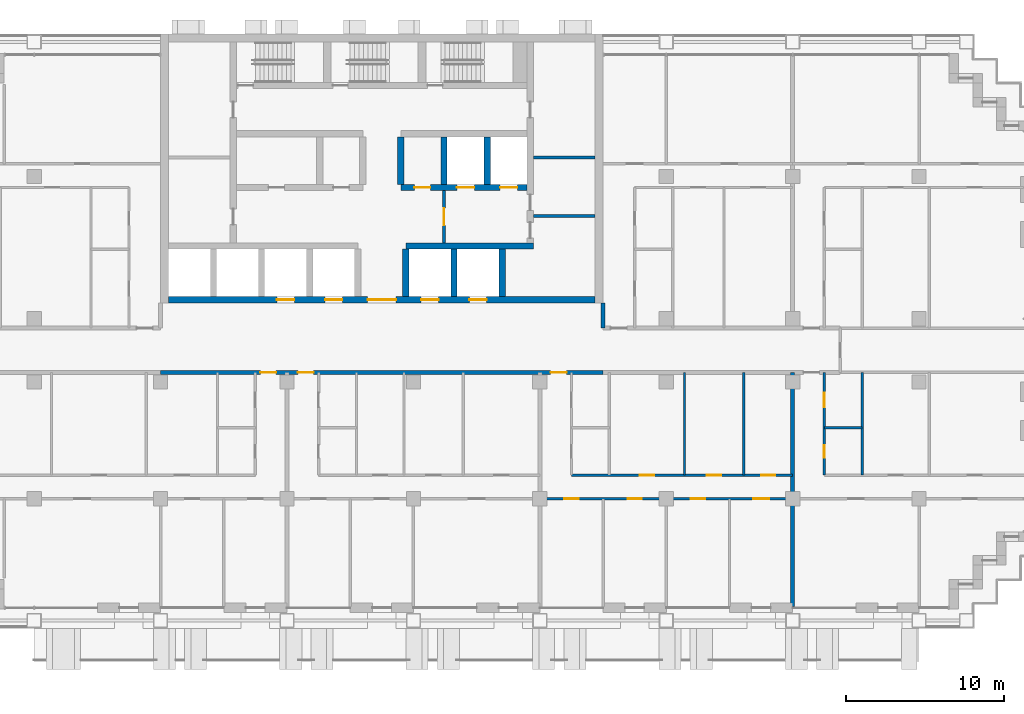
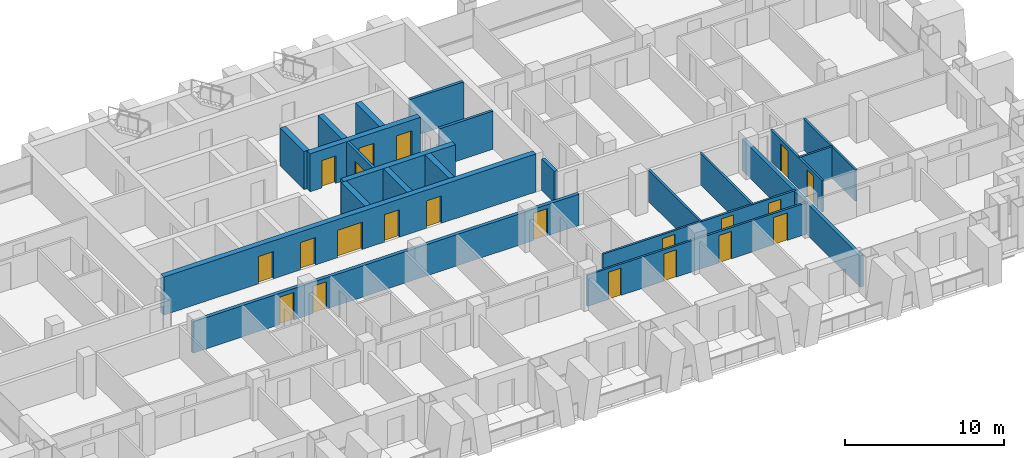
# One storey, part 11 of 18: 22 walls, 21 doors, 21 openings.
"""IFC4 building model written with IfcOpenShell, lengths in metres."""

from ifc_helpers import new_model, si_unit, direction, frame, frame_2d, origin, place, context, subcontext, project, spatial, rectangle, extrude, material, layer, layer_set, type_object, element, fill, save


model = new_model("IFC4")

# Units and contexts
model_context = context("Model", 3, precision=1e-05, world=origin(), true_north=direction((0.0, 1.0)))
body_context = subcontext(model_context, "Body", "Model", "MODEL_VIEW")
ifc_project = project(units=[si_unit("LENGTHUNIT", "METRE"), si_unit("AREAUNIT", "SQUARE_METRE"), si_unit("VOLUMEUNIT", "CUBIC_METRE"), si_unit("PLANEANGLEUNIT", "RADIAN"), si_unit("MASSUNIT", "GRAM", prefix="KILO")], contexts=[model_context])

# Site, building, storey
site_placement = place(None, origin())
site = spatial("IfcSite", under=ifc_project, at=site_placement, CompositionType="ELEMENT")
building_placement = place(site_placement, origin())
building = spatial("IfcBuilding", under=site, at=building_placement, Name="Vidyagriha Tower", CompositionType="ELEMENT")
storey_placement = place(building_placement, frame((0.0, 0.0, 83.89990234375)))
storey = spatial("IfcBuildingStorey", under=building, at=storey_placement, Name="L21", CompositionType="ELEMENT", Elevation=83.89990234375)

# Wall, openings, doors
ifc_material_1 = material(Name="Concrete C60/75", Category="concrete")
ifc_layer_1 = layer(ifc_material_1, 0.39990234375)
ifc_layer_set_1 = layer_set([ifc_layer_1], Name="Concrete C60/75")
wall_type_1 = type_object("IfcWallType", Name="Core shear wall 400 mm", PredefinedType="SHEAR", material=ifc_layer_set_1)
wall_1_placement = place(storey_placement, frame((-13.5, 3.199951171875, 0.0)))
wall_1 = element("IfcWall", 1, at=wall_1_placement, inside=storey, type_object=wall_type_1, Name="Core front wall", PredefinedType="SHEAR", context=body_context, shape_type="SweptSolid", body=[
    extrude(rectangle(XDim=27.0, YDim=0.39990234375, at=frame_2d((13.5, 0.0))), origin(), (0.0, 0.0, 1.0), 2.920166015625),
])
opening_1_placement = place(wall_1_placement, frame((6.861083984375, 0.0, 0.0)))
opening_1 = element("IfcOpeningElement", 2, at=opening_1_placement, cuts=wall_1, Name="Opening LD21-01", PredefinedType="OPENING", context=body_context, shape_type="SweptSolid", body=[
    extrude(rectangle(XDim=1.10009765625, YDim=2.10009765625, at=frame_2d((0.550048828125, 1.050048828125))), frame((0.0, 0.2099609375, 0.0), z_axis=(0.0, -1.0, 0.0), x_axis=(1.0, 0.0, 0.0)), (0.0, 0.0, 1.0), 0.419921875),
])
opening_2_placement = place(wall_1_placement, frame((9.905517578125, 0.0, 0.0)))
opening_2 = element("IfcOpeningElement", 3, at=opening_2_placement, cuts=wall_1, Name="Opening LD21-02", PredefinedType="OPENING", context=body_context, shape_type="SweptSolid", body=[
    extrude(rectangle(XDim=1.10009765625, YDim=2.10009765625, at=frame_2d((0.550048828125, 1.050048828125))), frame((0.0, 0.2099609375, 0.0), z_axis=(0.0, -1.0, 0.0), x_axis=(1.0, 0.0, 0.0)), (0.0, 0.0, 1.0), 0.419921875),
])
opening_3_placement = place(wall_1_placement, frame((15.994384765625, 0.0, 0.0)))
opening_3 = element("IfcOpeningElement", 4, at=opening_3_placement, cuts=wall_1, Name="Opening LD21-03", PredefinedType="OPENING", context=body_context, shape_type="SweptSolid", body=[
    extrude(rectangle(XDim=1.10009765625, YDim=2.10009765625, at=frame_2d((0.550048828125, 1.050048828125))), frame((0.0, 0.2099609375, 0.0), z_axis=(0.0, -1.0, 0.0), x_axis=(1.0, 0.0, 0.0)), (0.0, 0.0, 1.0), 0.419921875),
])
opening_4_placement = place(wall_1_placement, frame((19.038818359375, 0.0, 0.0)))
opening_4 = element("IfcOpeningElement", 5, at=opening_4_placement, cuts=wall_1, Name="Opening LD21-04", PredefinedType="OPENING", context=body_context, shape_type="SweptSolid", body=[
    extrude(rectangle(XDim=1.10009765625, YDim=2.10009765625, at=frame_2d((0.550048828125, 1.050048828125))), frame((0.0, 0.2099609375, 0.0), z_axis=(0.0, -1.0, 0.0), x_axis=(1.0, 0.0, 0.0)), (0.0, 0.0, 1.0), 0.419921875),
])
opening_5_placement = place(wall_1_placement, frame((12.60009765625, 0.0, 0.0)))
opening_5 = element("IfcOpeningElement", 6, at=opening_5_placement, cuts=wall_1, Name="Opening D21-01", PredefinedType="OPENING", context=body_context, shape_type="SweptSolid", body=[
    extrude(rectangle(XDim=1.800048828125, YDim=2.10009765625, at=frame_2d((0.89990234375, 1.050048828125))), frame((0.0, 0.2099609375, 0.0), z_axis=(0.0, -1.0, 0.0), x_axis=(1.0, 0.0, 0.0)), (0.0, 0.0, 1.0), 0.419921875),
])
ifc_material_2 = material(Name="Hollow metal door leaf")
door_type_1 = type_object("IfcDoorType", Name="Core lobby double door 1800 x 2100 mm EI 60", OperationType="NOTDEFINED", PredefinedType="DOOR", material=ifc_material_2)
door_1_placement = place(opening_5_placement, frame((1.800048828125, 0.0, 0.0), z_axis=(0.0, 0.0, 1.0), x_axis=(-1.0, 0.0, 0.0)))
door_1 = element("IfcDoor", 7, at=door_1_placement, inside=storey, type_object=door_type_1, Name="Core entrance door L21", OperationType="DOUBLE_DOOR_SINGLE_SWING", OverallHeight=2.10009765625, OverallWidth=1.800048828125, PredefinedType="DOOR", context=body_context, shape_type="SweptSolid", body=[
    extrude(rectangle(XDim=1.800048828125, YDim=2.10009765625, at=frame_2d((0.89990234375, 1.050048828125))), frame((0.0, 0.02490234375, 0.0), z_axis=(0.0, -1.0, 0.0), x_axis=(1.0, 0.0, 0.0)), (0.0, 0.0, 1.0), 0.050048828125),
])
fill(opening_5, door_1)
ifc_material_3 = material(Name="Stainless steel sliding door panel", Category="steel")
door_type_2 = type_object("IfcDoorType", Name="Lift landing door 1100 x 2100 mm EI 90", OperationType="NOTDEFINED", PredefinedType="DOOR", material=ifc_material_3)
door_2_placement = place(opening_1_placement, origin())
door_2 = element("IfcDoor", 8, at=door_2_placement, inside=storey, type_object=door_type_2, Name="Landing door LR1 L21", OperationType="SLIDING_TO_LEFT", OverallHeight=2.10009765625, OverallWidth=1.10009765625, PredefinedType="DOOR", context=body_context, shape_type="SweptSolid", body=[
    extrude(rectangle(XDim=1.10009765625, YDim=2.10009765625, at=frame_2d((0.550048828125, 1.050048828125))), frame((0.0, 0.02490234375, 0.0), z_axis=(0.0, -1.0, 0.0), x_axis=(1.0, 0.0, 0.0)), (0.0, 0.0, 1.0), 0.050048828125),
])
fill(opening_1, door_2)
door_3_placement = place(opening_2_placement, origin())
door_3 = element("IfcDoor", 9, at=door_3_placement, inside=storey, type_object=door_type_2, Name="Landing door LR2 L21", OperationType="SLIDING_TO_LEFT", OverallHeight=2.10009765625, OverallWidth=1.10009765625, PredefinedType="DOOR", context=body_context, shape_type="SweptSolid", body=[
    extrude(rectangle(XDim=1.10009765625, YDim=2.10009765625, at=frame_2d((0.550048828125, 1.050048828125))), frame((0.0, 0.02490234375, 0.0), z_axis=(0.0, -1.0, 0.0), x_axis=(1.0, 0.0, 0.0)), (0.0, 0.0, 1.0), 0.050048828125),
])
fill(opening_2, door_3)
door_4_placement = place(opening_3_placement, origin())
door_4 = element("IfcDoor", 10, at=door_4_placement, inside=storey, type_object=door_type_2, Name="Landing door LR3 L21", OperationType="SLIDING_TO_LEFT", OverallHeight=2.10009765625, OverallWidth=1.10009765625, PredefinedType="DOOR", context=body_context, shape_type="SweptSolid", body=[
    extrude(rectangle(XDim=1.10009765625, YDim=2.10009765625, at=frame_2d((0.550048828125, 1.050048828125))), frame((0.0, 0.02490234375, 0.0), z_axis=(0.0, -1.0, 0.0), x_axis=(1.0, 0.0, 0.0)), (0.0, 0.0, 1.0), 0.050048828125),
])
fill(opening_3, door_4)
door_5_placement = place(opening_4_placement, origin())
door_5 = element("IfcDoor", 11, at=door_5_placement, inside=storey, type_object=door_type_2, Name="Landing door LR4 L21", OperationType="SLIDING_TO_LEFT", OverallHeight=2.10009765625, OverallWidth=1.10009765625, PredefinedType="DOOR", context=body_context, shape_type="SweptSolid", body=[
    extrude(rectangle(XDim=1.10009765625, YDim=2.10009765625, at=frame_2d((0.550048828125, 1.050048828125))), frame((0.0, 0.02490234375, 0.0), z_axis=(0.0, -1.0, 0.0), x_axis=(1.0, 0.0, 0.0)), (0.0, 0.0, 1.0), 0.050048828125),
])
fill(opening_4, door_5)

# Walls
wall_2_placement = place(storey_placement, frame((1.522216796875, 6.60009765625, 0.0)))
element("IfcWall", 12, at=wall_2_placement, inside=storey, type_object=wall_type_1, Name="Core lobby south wall east", PredefinedType="SHEAR", context=body_context, shape_type="SweptSolid", body=[
    extrude(rectangle(XDim=8.077880859375, YDim=0.39990234375, at=frame_2d((4.0390625, 0.0))), origin(), (0.0, 0.0, 1.0), 2.920166015625),
])
for number, where, z_axis, x_axis, name in (
    (13, (1.522216796875, 3.39990234375, 0.0), (0.0, 0.0, 1.0), (0.0, 1.0, 0.0), "Core bay wall S5"),
    (14, (4.566650390625, 3.39990234375, 0.0), (0.0, 0.0, 1.0), (0.0, 1.0, 0.0), "Core bay wall S6"),
    (15, (7.611083984375, 3.39990234375, 0.0), (0.0, 0.0, 1.0), (0.0, 1.0, 0.0), "Core bay wall S7"),
):
    element("IfcWall", number, at=place(storey_placement, frame(where, z_axis=z_axis, x_axis=x_axis)), inside=storey, type_object=wall_type_1, Name=name, PredefinedType="SHEAR", context=body_context, shape_type="SweptSolid", body=[
        extrude(rectangle(XDim=3.0, YDim=0.39990234375, at=frame_2d((1.5, 0.0))), origin(), (0.0, 0.0, 1.0), 2.920166015625),
    ])

# Wall, openings, doors
wall_3_placement = place(storey_placement, frame((1.199951171875, 10.300048828125, 0.0)))
wall_3 = element("IfcWall", 16, at=wall_3_placement, inside=storey, type_object=wall_type_1, Name="Core row N front wall", PredefinedType="SHEAR", context=body_context, shape_type="SweptSolid", body=[
    extrude(rectangle(XDim=8.0, YDim=0.39990234375, at=frame_2d((4.0, 0.0))), origin(), (0.0, 0.0, 1.0), 2.920166015625),
])
opening_6_placement = place(wall_3_placement, frame((3.550048828125, 0.0, 0.0)))
opening_6 = element("IfcOpeningElement", 17, at=opening_6_placement, cuts=wall_3, Name="Opening LD21-05", PredefinedType="OPENING", context=body_context, shape_type="SweptSolid", body=[
    extrude(rectangle(XDim=1.10009765625, YDim=2.10009765625, at=frame_2d((0.550048828125, 1.050048828125))), frame((0.0, 0.2099609375, 0.0), z_axis=(0.0, -1.0, 0.0), x_axis=(1.0, 0.0, 0.0)), (0.0, 0.0, 1.0), 0.419921875),
])
opening_7_placement = place(wall_3_placement, frame((6.283203125, 0.0, 0.0)))
opening_7 = element("IfcOpeningElement", 18, at=opening_7_placement, cuts=wall_3, Name="Opening LD21-06", PredefinedType="OPENING", context=body_context, shape_type="SweptSolid", body=[
    extrude(rectangle(XDim=1.10009765625, YDim=2.10009765625, at=frame_2d((0.550048828125, 1.050048828125))), frame((0.0, 0.2099609375, 0.0), z_axis=(0.0, -1.0, 0.0), x_axis=(1.0, 0.0, 0.0)), (0.0, 0.0, 1.0), 0.419921875),
])
opening_8_placement = place(wall_3_placement, frame((0.86669921875, 0.0, 0.0)))
opening_8 = element("IfcOpeningElement", 19, at=opening_8_placement, cuts=wall_3, Name="Opening D21-04", PredefinedType="OPENING", context=body_context, shape_type="SweptSolid", body=[
    extrude(rectangle(XDim=1.0, YDim=2.10009765625, at=frame_2d((0.5, 1.050048828125))), frame((0.0, 0.2099609375, 0.0), z_axis=(0.0, -1.0, 0.0), x_axis=(1.0, 0.0, 0.0)), (0.0, 0.0, 1.0), 0.419921875),
])
ifc_material_4 = material(Name="Hollow metal door leaf")
door_type_3 = type_object("IfcDoorType", Name="Core room door 1000 x 2100 mm EI 60", OperationType="NOTDEFINED", PredefinedType="DOOR", material=ifc_material_4)
door_6_placement = place(opening_8_placement, frame((1.0, 0.0, 0.0), z_axis=(0.0, 0.0, 1.0), x_axis=(-1.0, 0.0, 0.0)))
door_6 = element("IfcDoor", 20, at=door_6_placement, inside=storey, type_object=door_type_3, Name="Door Switchgear Room 21.16", OperationType="SINGLE_SWING_LEFT", OverallHeight=2.10009765625, OverallWidth=1.0, PredefinedType="DOOR", context=body_context, shape_type="SweptSolid", body=[
    extrude(rectangle(XDim=1.0, YDim=2.10009765625, at=frame_2d((0.5, 1.050048828125))), frame((0.0, 0.02490234375, 0.0), z_axis=(0.0, -1.0, 0.0), x_axis=(1.0, 0.0, 0.0)), (0.0, 0.0, 1.0), 0.050048828125),
])
fill(opening_8, door_6)
door_7_placement = place(opening_6_placement, origin())
door_7 = element("IfcDoor", 21, at=door_7_placement, inside=storey, type_object=door_type_2, Name="Landing door FF1 L21", OperationType="SLIDING_TO_LEFT", OverallHeight=2.10009765625, OverallWidth=1.10009765625, PredefinedType="DOOR", context=body_context, shape_type="SweptSolid", body=[
    extrude(rectangle(XDim=1.10009765625, YDim=2.10009765625, at=frame_2d((0.550048828125, 1.050048828125))), frame((0.0, 0.02490234375, 0.0), z_axis=(0.0, -1.0, 0.0), x_axis=(1.0, 0.0, 0.0)), (0.0, 0.0, 1.0), 0.050048828125),
])
fill(opening_6, door_7)
door_8_placement = place(opening_7_placement, origin())
door_8 = element("IfcDoor", 22, at=door_8_placement, inside=storey, type_object=door_type_2, Name="Landing door FF2 L21", OperationType="SLIDING_TO_LEFT", OverallHeight=2.10009765625, OverallWidth=1.10009765625, PredefinedType="DOOR", context=body_context, shape_type="SweptSolid", body=[
    extrude(rectangle(XDim=1.10009765625, YDim=2.10009765625, at=frame_2d((0.550048828125, 1.050048828125))), frame((0.0, 0.02490234375, 0.0), z_axis=(0.0, -1.0, 0.0), x_axis=(1.0, 0.0, 0.0)), (0.0, 0.0, 1.0), 0.050048828125),
])
fill(opening_7, door_8)

# Walls
for number, where, z_axis, x_axis, name in (
    (23, (1.199951171875, 10.5, 0.0), (0.0, 0.0, 1.0), (0.0, 1.0, 0.0), "Core bay wall N4"),
    (24, (3.933349609375, 10.5, 0.0), (0.0, 0.0, 1.0), (0.0, 1.0, 0.0), "Core bay wall N5"),
    (25, (6.666748046875, 10.5, 0.0), (0.0, 0.0, 1.0), (0.0, 1.0, 0.0), "Core bay wall N6"),
):
    element("IfcWall", number, at=place(storey_placement, frame(where, z_axis=z_axis, x_axis=x_axis)), inside=storey, type_object=wall_type_1, Name=name, PredefinedType="SHEAR", context=body_context, shape_type="SweptSolid", body=[
        extrude(rectangle(XDim=3.0, YDim=0.39990234375, at=frame_2d((1.5, 0.0))), origin(), (0.0, 0.0, 1.0), 2.920166015625),
    ])

# Wall, openings, doors
ifc_material_5 = material(Name="Fired clay brick masonry", Category="masonry")
ifc_layer_2 = layer(ifc_material_5, 0.25)
ifc_layer_set_2 = layer_set([ifc_layer_2], Name="Fired clay brick masonry")
wall_type_2 = type_object("IfcWallType", Name="Fired clay brick corridor wall 250", PredefinedType="PARTITIONING", material=ifc_layer_set_2)
wall_4_placement = place(storey_placement, frame((14.0, -1.39990234375, 0.0), z_axis=(0.0, 0.0, 1.0), x_axis=(-1.0, 0.0, 0.0)))
wall_4 = element("IfcWall", 26, at=wall_4_placement, inside=storey, type_object=wall_type_2, Name="Wall all-L21-w127", PredefinedType="PARTITIONING", context=body_context, shape_type="SweptSolid", body=[
    extrude(rectangle(XDim=28.0, YDim=0.25, at=frame_2d((14.0, 0.0))), origin(), (0.0, 0.0, 1.0), 2.400146484375),
])
opening_9_placement = place(wall_4_placement, frame((20.68896484375, 0.0, 0.0)))
opening_9 = element("IfcOpeningElement", 27, at=opening_9_placement, cuts=wall_4, Name="Opening D21-23", PredefinedType="OPENING", context=body_context, shape_type="SweptSolid", body=[
    extrude(rectangle(XDim=1.0, YDim=2.10009765625, at=frame_2d((0.5, 1.050048828125))), frame((0.0, 0.135009765625, 0.0), z_axis=(0.0, -1.0, 0.0), x_axis=(1.0, 0.0, 0.0)), (0.0, 0.0, 1.0), 0.27001953125),
])
opening_10_placement = place(wall_4_placement, frame((18.31103515625, 0.0, 0.0)))
opening_10 = element("IfcOpeningElement", 28, at=opening_10_placement, cuts=wall_4, Name="Opening D21-32", PredefinedType="OPENING", context=body_context, shape_type="SweptSolid", body=[
    extrude(rectangle(XDim=1.0, YDim=2.10009765625, at=frame_2d((0.5, 1.050048828125))), frame((0.0, 0.135009765625, 0.0), z_axis=(0.0, -1.0, 0.0), x_axis=(1.0, 0.0, 0.0)), (0.0, 0.0, 1.0), 0.27001953125),
])
opening_11_placement = place(wall_4_placement, frame((2.31103515625, 0.0, 0.0)))
opening_11 = element("IfcOpeningElement", 29, at=opening_11_placement, cuts=wall_4, Name="Opening D21-42", PredefinedType="OPENING", context=body_context, shape_type="SweptSolid", body=[
    extrude(rectangle(XDim=1.0, YDim=2.10009765625, at=frame_2d((0.5, 1.050048828125))), frame((0.0, 0.135009765625, 0.0), z_axis=(0.0, -1.0, 0.0), x_axis=(1.0, 0.0, 0.0)), (0.0, 0.0, 1.0), 0.27001953125),
])
ifc_material_6 = material(Name="Fire-rated timber door leaf EI 60", Category="wood")
door_type_4 = type_object("IfcDoorType", Name="Flat entrance fire door 1000x2100", OperationType="NOTDEFINED", PredefinedType="DOOR", material=ifc_material_6)
door_9_placement = place(opening_9_placement, origin())
door_9 = element("IfcDoor", 30, at=door_9_placement, inside=storey, type_object=door_type_4, Name="Door D21-23", OperationType="SINGLE_SWING_LEFT", OverallHeight=2.10009765625, OverallWidth=1.0, PredefinedType="DOOR", context=body_context, shape_type="SweptSolid", body=[
    extrude(rectangle(XDim=1.0, YDim=2.10009765625, at=frame_2d((0.5, 1.050048828125))), frame((0.0, 0.02490234375, 0.0), z_axis=(0.0, -1.0, 0.0), x_axis=(1.0, 0.0, 0.0)), (0.0, 0.0, 1.0), 0.050048828125),
])
fill(opening_9, door_9)
door_10_placement = place(opening_10_placement, origin())
door_10 = element("IfcDoor", 31, at=door_10_placement, inside=storey, type_object=door_type_4, Name="Door D21-32", OperationType="SINGLE_SWING_RIGHT", OverallHeight=2.10009765625, OverallWidth=1.0, PredefinedType="DOOR", context=body_context, shape_type="SweptSolid", body=[
    extrude(rectangle(XDim=1.0, YDim=2.10009765625, at=frame_2d((0.5, 1.050048828125))), frame((0.0, 0.02490234375, 0.0), z_axis=(0.0, -1.0, 0.0), x_axis=(1.0, 0.0, 0.0)), (0.0, 0.0, 1.0), 0.050048828125),
])
fill(opening_10, door_10)
door_11_placement = place(opening_11_placement, origin())
door_11 = element("IfcDoor", 32, at=door_11_placement, inside=storey, type_object=door_type_4, Name="Door D21-42", OperationType="SINGLE_SWING_RIGHT", OverallHeight=2.10009765625, OverallWidth=1.0, PredefinedType="DOOR", context=body_context, shape_type="SweptSolid", body=[
    extrude(rectangle(XDim=1.0, YDim=2.10009765625, at=frame_2d((0.5, 1.050048828125))), frame((0.0, 0.02490234375, 0.0), z_axis=(0.0, -1.0, 0.0), x_axis=(1.0, 0.0, 0.0)), (0.0, 0.0, 1.0), 0.050048828125),
])
fill(opening_11, door_11)

# Walls
wall_5_placement = place(storey_placement, frame((14.0, 1.39990234375, 0.0), z_axis=(0.0, 0.0, 1.0), x_axis=(0.0, 1.0, 0.0)))
element("IfcWall", 33, at=wall_5_placement, inside=storey, type_object=wall_type_2, Name="Wall all-L21-w129", PredefinedType="PARTITIONING", context=body_context, shape_type="SweptSolid", body=[
    extrude(rectangle(XDim=1.60009765625, YDim=0.25, at=frame_2d((0.800048828125, 0.0))), origin(), (0.0, 0.0, 1.0), 2.400146484375),
])
ifc_material_7 = material(Name="Fired clay brick masonry", Category="masonry")
ifc_layer_3 = layer(ifc_material_7, 0.25)
ifc_layer_set_3 = layer_set([ifc_layer_3], Name="Fired clay brick masonry")
wall_type_3 = type_object("IfcWallType", Name="Fired clay brick demising wall 250", PredefinedType="PARTITIONING", material=ifc_layer_set_3)
wall_6_placement = place(storey_placement, frame((26.0, -1.39990234375, 0.0), z_axis=(0.0, 0.0, 1.0), x_axis=(0.0, -1.0, 0.0)))
element("IfcWall", 34, at=wall_6_placement, inside=storey, type_object=wall_type_3, Name="Wall all-L21-w075", PredefinedType="PARTITIONING", context=body_context, shape_type="SweptSolid", body=[
    extrude(rectangle(XDim=14.81005859375, YDim=0.25, at=frame_2d((7.405029296875, 0.0))), origin(), (0.0, 0.0, 1.0), 2.400146484375),
])
ifc_material_8 = material(Name="Gypsum board partition")
ifc_layer_4 = layer(ifc_material_8, 0.14990234375)
ifc_layer_set_4 = layer_set([ifc_layer_4], Name="Gypsum board partition")
wall_type_4 = type_object("IfcWallType", Name="Gypsum board partition 150", PredefinedType="PARTITIONING", material=ifc_layer_set_4)
for number, where, z_axis, x_axis, name in (
    (35, (19.14990234375, -1.39990234375, 0.0), (0.0, 0.0, 1.0), (0.0, -1.0, 0.0), "Wall all-L21-w045"),
    (36, (22.89990234375, -1.39990234375, 0.0), (0.0, 0.0, 1.0), (0.0, -1.0, 0.0), "Wall all-L21-w046"),
):
    element("IfcWall", number, at=place(storey_placement, frame(where, z_axis=z_axis, x_axis=x_axis)), inside=storey, type_object=wall_type_4, Name=name, PredefinedType="PARTITIONING", context=body_context, shape_type="SweptSolid", body=[
        extrude(rectangle(XDim=6.5, YDim=0.14990234375, at=frame_2d((3.25, 0.0))), origin(), (0.0, 0.0, 1.0), 2.400146484375),
    ])

# Wall, openings, doors
wall_7_placement = place(storey_placement, frame((12.0, -7.89990234375, 0.0)))
wall_7 = element("IfcWall", 37, at=wall_7_placement, inside=storey, type_object=wall_type_4, Name="Wall all-L21-w047", PredefinedType="PARTITIONING", context=body_context, shape_type="SweptSolid", body=[
    extrude(rectangle(XDim=14.0, YDim=0.14990234375, at=frame_2d((7.0, 0.0))), origin(), (0.0, 0.0, 1.0), 2.400146484375),
])
opening_12_placement = place(wall_7_placement, frame((4.324951171875, 0.0, 0.0)))
opening_12 = element("IfcOpeningElement", 38, at=opening_12_placement, cuts=wall_7, Name="Opening D21-35", PredefinedType="OPENING", context=body_context, shape_type="SweptSolid", body=[
    extrude(rectangle(XDim=0.89990234375, YDim=2.10009765625, at=frame_2d((0.449951171875, 1.050048828125))), frame((0.0, 0.0849609375, 0.0), z_axis=(0.0, -1.0, 0.0), x_axis=(1.0, 0.0, 0.0)), (0.0, 0.0, 1.0), 0.169921875),
])
opening_13_placement = place(wall_7_placement, frame((8.574951171875, 0.0, 0.0)))
opening_13 = element("IfcOpeningElement", 39, at=opening_13_placement, cuts=wall_7, Name="Opening D21-36", PredefinedType="OPENING", context=body_context, shape_type="SweptSolid", body=[
    extrude(rectangle(XDim=0.89990234375, YDim=2.10009765625, at=frame_2d((0.449951171875, 1.050048828125))), frame((0.0, 0.0849609375, 0.0), z_axis=(0.0, -1.0, 0.0), x_axis=(1.0, 0.0, 0.0)), (0.0, 0.0, 1.0), 0.169921875),
])
opening_14_placement = place(wall_7_placement, frame((12.0, 0.0, 0.0)))
opening_14 = element("IfcOpeningElement", 40, at=opening_14_placement, cuts=wall_7, Name="Opening D21-37", PredefinedType="OPENING", context=body_context, shape_type="SweptSolid", body=[
    extrude(rectangle(XDim=0.89990234375, YDim=2.10009765625, at=frame_2d((0.449951171875, 1.050048828125))), frame((0.0, 0.0849609375, 0.0), z_axis=(0.0, -1.0, 0.0), x_axis=(1.0, 0.0, 0.0)), (0.0, 0.0, 1.0), 0.169921875),
])
ifc_material_9 = material(Name="Timber door leaf", Category="wood")
door_type_5 = type_object("IfcDoorType", Name="Room door 900x2100", OperationType="NOTDEFINED", PredefinedType="DOOR", material=ifc_material_9)
door_12_placement = place(opening_12_placement, origin())
door_12 = element("IfcDoor", 41, at=door_12_placement, inside=storey, type_object=door_type_5, Name="Door D21-35", OperationType="SINGLE_SWING_LEFT", OverallHeight=2.10009765625, OverallWidth=0.89990234375, PredefinedType="DOOR", context=body_context, shape_type="SweptSolid", body=[
    extrude(rectangle(XDim=0.89990234375, YDim=2.10009765625, at=frame_2d((0.449951171875, 1.050048828125))), frame((0.0, 0.02490234375, 0.0), z_axis=(0.0, -1.0, 0.0), x_axis=(1.0, 0.0, 0.0)), (0.0, 0.0, 1.0), 0.050048828125),
])
fill(opening_12, door_12)
door_13_placement = place(opening_13_placement, origin())
door_13 = element("IfcDoor", 42, at=door_13_placement, inside=storey, type_object=door_type_5, Name="Door D21-36", OperationType="SINGLE_SWING_RIGHT", OverallHeight=2.10009765625, OverallWidth=0.89990234375, PredefinedType="DOOR", context=body_context, shape_type="SweptSolid", body=[
    extrude(rectangle(XDim=0.89990234375, YDim=2.10009765625, at=frame_2d((0.449951171875, 1.050048828125))), frame((0.0, 0.02490234375, 0.0), z_axis=(0.0, -1.0, 0.0), x_axis=(1.0, 0.0, 0.0)), (0.0, 0.0, 1.0), 0.050048828125),
])
fill(opening_13, door_13)
door_14_placement = place(opening_14_placement, origin())
door_14 = element("IfcDoor", 43, at=door_14_placement, inside=storey, type_object=door_type_5, Name="Door D21-37", OperationType="SINGLE_SWING_RIGHT", OverallHeight=2.10009765625, OverallWidth=0.89990234375, PredefinedType="DOOR", context=body_context, shape_type="SweptSolid", body=[
    extrude(rectangle(XDim=0.89990234375, YDim=2.10009765625, at=frame_2d((0.449951171875, 1.050048828125))), frame((0.0, 0.02490234375, 0.0), z_axis=(0.0, -1.0, 0.0), x_axis=(1.0, 0.0, 0.0)), (0.0, 0.0, 1.0), 0.050048828125),
])
fill(opening_14, door_14)

wall_8_placement = place(storey_placement, frame((26.0, -9.39990234375, 0.0), z_axis=(0.0, 0.0, 1.0), x_axis=(-1.0, 0.0, 0.0)))
wall_8 = element("IfcWall", 44, at=wall_8_placement, inside=storey, type_object=wall_type_4, Name="Wall all-L21-w051", PredefinedType="PARTITIONING", context=body_context, shape_type="SweptSolid", body=[
    extrude(rectangle(XDim=16.0, YDim=0.14990234375, at=frame_2d((8.0, 0.0))), origin(), (0.0, 0.0, 1.0), 2.400146484375),
])
opening_15_placement = place(wall_8_placement, frame((13.550048828125, 0.0, 0.0)))
opening_15 = element("IfcOpeningElement", 45, at=opening_15_placement, cuts=wall_8, Name="Opening D21-38", PredefinedType="OPENING", context=body_context, shape_type="SweptSolid", body=[
    extrude(rectangle(XDim=0.89990234375, YDim=2.10009765625, at=frame_2d((0.449951171875, 1.050048828125))), frame((0.0, 0.0849609375, 0.0), z_axis=(0.0, -1.0, 0.0), x_axis=(1.0, 0.0, 0.0)), (0.0, 0.0, 1.0), 0.169921875),
])
opening_16_placement = place(wall_8_placement, frame((9.550048828125, 0.0, 0.0)))
opening_16 = element("IfcOpeningElement", 46, at=opening_16_placement, cuts=wall_8, Name="Opening D21-39", PredefinedType="OPENING", context=body_context, shape_type="SweptSolid", body=[
    extrude(rectangle(XDim=0.89990234375, YDim=2.10009765625, at=frame_2d((0.449951171875, 1.050048828125))), frame((0.0, 0.0849609375, 0.0), z_axis=(0.0, -1.0, 0.0), x_axis=(1.0, 0.0, 0.0)), (0.0, 0.0, 1.0), 0.169921875),
])
opening_17_placement = place(wall_8_placement, frame((5.550048828125, 0.0, 0.0)))
opening_17 = element("IfcOpeningElement", 47, at=opening_17_placement, cuts=wall_8, Name="Opening D21-40", PredefinedType="OPENING", context=body_context, shape_type="SweptSolid", body=[
    extrude(rectangle(XDim=0.89990234375, YDim=2.10009765625, at=frame_2d((0.449951171875, 1.050048828125))), frame((0.0, 0.0849609375, 0.0), z_axis=(0.0, -1.0, 0.0), x_axis=(1.0, 0.0, 0.0)), (0.0, 0.0, 1.0), 0.169921875),
])
opening_18_placement = place(wall_8_placement, frame((1.5, 0.0, 0.0)))
opening_18 = element("IfcOpeningElement", 48, at=opening_18_placement, cuts=wall_8, Name="Opening D21-41", PredefinedType="OPENING", context=body_context, shape_type="SweptSolid", body=[
    extrude(rectangle(XDim=1.0, YDim=2.10009765625, at=frame_2d((0.5, 1.050048828125))), frame((0.0, 0.0849609375, 0.0), z_axis=(0.0, -1.0, 0.0), x_axis=(1.0, 0.0, 0.0)), (0.0, 0.0, 1.0), 0.169921875),
])
ifc_material_10 = material(Name="Timber door leaf", Category="wood")
door_type_6 = type_object("IfcDoorType", Name="Room door 1000x2100", OperationType="NOTDEFINED", PredefinedType="DOOR", material=ifc_material_10)
door_15_placement = place(opening_18_placement, origin())
door_15 = element("IfcDoor", 49, at=door_15_placement, inside=storey, type_object=door_type_6, Name="Door D21-41", OperationType="SINGLE_SWING_RIGHT", OverallHeight=2.10009765625, OverallWidth=1.0, PredefinedType="DOOR", context=body_context, shape_type="SweptSolid", body=[
    extrude(rectangle(XDim=1.0, YDim=2.10009765625, at=frame_2d((0.5, 1.050048828125))), frame((0.0, 0.02490234375, 0.0), z_axis=(0.0, -1.0, 0.0), x_axis=(1.0, 0.0, 0.0)), (0.0, 0.0, 1.0), 0.050048828125),
])
fill(opening_18, door_15)
door_16_placement = place(opening_15_placement, origin())
door_16 = element("IfcDoor", 50, at=door_16_placement, inside=storey, type_object=door_type_5, Name="Door D21-38", OperationType="SINGLE_SWING_RIGHT", OverallHeight=2.10009765625, OverallWidth=0.89990234375, PredefinedType="DOOR", context=body_context, shape_type="SweptSolid", body=[
    extrude(rectangle(XDim=0.89990234375, YDim=2.10009765625, at=frame_2d((0.449951171875, 1.050048828125))), frame((0.0, 0.02490234375, 0.0), z_axis=(0.0, -1.0, 0.0), x_axis=(1.0, 0.0, 0.0)), (0.0, 0.0, 1.0), 0.050048828125),
])
fill(opening_15, door_16)
door_17_placement = place(opening_16_placement, origin())
door_17 = element("IfcDoor", 51, at=door_17_placement, inside=storey, type_object=door_type_5, Name="Door D21-39", OperationType="SINGLE_SWING_RIGHT", OverallHeight=2.10009765625, OverallWidth=0.89990234375, PredefinedType="DOOR", context=body_context, shape_type="SweptSolid", body=[
    extrude(rectangle(XDim=0.89990234375, YDim=2.10009765625, at=frame_2d((0.449951171875, 1.050048828125))), frame((0.0, 0.02490234375, 0.0), z_axis=(0.0, -1.0, 0.0), x_axis=(1.0, 0.0, 0.0)), (0.0, 0.0, 1.0), 0.050048828125),
])
fill(opening_16, door_17)
door_18_placement = place(opening_17_placement, origin())
door_18 = element("IfcDoor", 52, at=door_18_placement, inside=storey, type_object=door_type_5, Name="Door D21-40", OperationType="SINGLE_SWING_RIGHT", OverallHeight=2.10009765625, OverallWidth=0.89990234375, PredefinedType="DOOR", context=body_context, shape_type="SweptSolid", body=[
    extrude(rectangle(XDim=0.89990234375, YDim=2.10009765625, at=frame_2d((0.449951171875, 1.050048828125))), frame((0.0, 0.02490234375, 0.0), z_axis=(0.0, -1.0, 0.0), x_axis=(1.0, 0.0, 0.0)), (0.0, 0.0, 1.0), 0.050048828125),
])
fill(opening_17, door_18)

# Walls
wall_9_placement = place(storey_placement, frame((30.39990234375, -4.89990234375, 0.0), z_axis=(0.0, 0.0, 1.0), x_axis=(-1.0, 0.0, 0.0)))
element("IfcWall", 53, at=wall_9_placement, inside=storey, type_object=wall_type_4, Name="Wall all-L21-w064", PredefinedType="PARTITIONING", context=body_context, shape_type="SweptSolid", body=[
    extrude(rectangle(XDim=2.39990234375, YDim=0.14990234375, at=frame_2d((1.199951171875, 0.0))), origin(), (0.0, 0.0, 1.0), 2.400146484375),
])
wall_10_placement = place(storey_placement, frame((30.39990234375, -1.39990234375, 0.0), z_axis=(0.0, 0.0, 1.0), x_axis=(0.0, -1.0, 0.0)))
element("IfcWall", 54, at=wall_10_placement, inside=storey, type_object=wall_type_4, Name="Wall all-L21-w065", PredefinedType="PARTITIONING", context=body_context, shape_type="SweptSolid", body=[
    extrude(rectangle(XDim=6.5, YDim=0.14990234375, at=frame_2d((3.25, 0.0))), origin(), (0.0, 0.0, 1.0), 2.400146484375),
])

# Wall, openings, doors
ifc_material_11 = material(Name="Moisture resistant gypsum board partition")
ifc_layer_5 = layer(ifc_material_11, 0.14990234375)
ifc_layer_set_5 = layer_set([ifc_layer_5], Name="Moisture resistant gypsum board partition")
wall_type_5 = type_object("IfcWallType", Name="Gypsum board wet-area partition 150", PredefinedType="PARTITIONING", material=ifc_layer_set_5)
wall_11_placement = place(storey_placement, frame((28.0, -1.39990234375, 0.0), z_axis=(0.0, 0.0, 1.0), x_axis=(0.0, -1.0, 0.0)))
wall_11 = element("IfcWall", 55, at=wall_11_placement, inside=storey, type_object=wall_type_5, Name="Wall all-L21-w061", PredefinedType="PARTITIONING", context=body_context, shape_type="SweptSolid", body=[
    extrude(rectangle(XDim=6.5, YDim=0.14990234375, at=frame_2d((3.25, 0.0))), origin(), (0.0, 0.0, 1.0), 2.400146484375),
])
opening_19_placement = place(wall_11_placement, frame((1.300048828125, 0.0, 0.0)))
opening_19 = element("IfcOpeningElement", 56, at=opening_19_placement, cuts=wall_11, Name="Opening D21-43", PredefinedType="OPENING", context=body_context, shape_type="SweptSolid", body=[
    extrude(rectangle(XDim=0.89990234375, YDim=2.10009765625, at=frame_2d((0.449951171875, 1.050048828125))), frame((0.0, 0.0849609375, 0.0), z_axis=(0.0, -1.0, 0.0), x_axis=(1.0, 0.0, 0.0)), (0.0, 0.0, 1.0), 0.169921875),
])
opening_20_placement = place(wall_11_placement, frame((4.60009765625, 0.0, 0.0)))
opening_20 = element("IfcOpeningElement", 57, at=opening_20_placement, cuts=wall_11, Name="Opening D21-44", PredefinedType="OPENING", context=body_context, shape_type="SweptSolid", body=[
    extrude(rectangle(XDim=0.800048828125, YDim=2.10009765625, at=frame_2d((0.39990234375, 1.050048828125))), frame((0.0, 0.0849609375, 0.0), z_axis=(0.0, -1.0, 0.0), x_axis=(1.0, 0.0, 0.0)), (0.0, 0.0, 1.0), 0.169921875),
])
ifc_material_12 = material(Name="Timber door leaf", Category="wood")
door_type_7 = type_object("IfcDoorType", Name="Bathroom door 800x2100", OperationType="NOTDEFINED", PredefinedType="DOOR", material=ifc_material_12)
door_19_placement = place(opening_20_placement, origin())
door_19 = element("IfcDoor", 58, at=door_19_placement, inside=storey, type_object=door_type_7, Name="Door D21-44", OperationType="SINGLE_SWING_RIGHT", OverallHeight=2.10009765625, OverallWidth=0.800048828125, PredefinedType="DOOR", context=body_context, shape_type="SweptSolid", body=[
    extrude(rectangle(XDim=0.800048828125, YDim=2.10009765625, at=frame_2d((0.39990234375, 1.050048828125))), frame((0.0, 0.02490234375, 0.0), z_axis=(0.0, -1.0, 0.0), x_axis=(1.0, 0.0, 0.0)), (0.0, 0.0, 1.0), 0.050048828125),
])
fill(opening_20, door_19)
ifc_material_13 = material(Name="Timber door leaf", Category="wood")
door_type_8 = type_object("IfcDoorType", Name="Kitchen door 900x2100", OperationType="NOTDEFINED", PredefinedType="DOOR", material=ifc_material_13)
door_20_placement = place(opening_19_placement, origin())
door_20 = element("IfcDoor", 59, at=door_20_placement, inside=storey, type_object=door_type_8, Name="Door D21-43", OperationType="SINGLE_SWING_LEFT", OverallHeight=2.10009765625, OverallWidth=0.89990234375, PredefinedType="DOOR", context=body_context, shape_type="SweptSolid", body=[
    extrude(rectangle(XDim=0.89990234375, YDim=2.10009765625, at=frame_2d((0.449951171875, 1.050048828125))), frame((0.0, 0.02490234375, 0.0), z_axis=(0.0, -1.0, 0.0), x_axis=(1.0, 0.0, 0.0)), (0.0, 0.0, 1.0), 0.050048828125),
])
fill(opening_19, door_20)

# Wall, opening, door
ifc_material_14 = material(Name="Blockwork 15 MPa", Category="masonry")
ifc_layer_6 = layer(ifc_material_14, 0.199951171875)
ifc_layer_set_6 = layer_set([ifc_layer_6], Name="Blockwork 15 MPa")
wall_type_6 = type_object("IfcWallType", Name="Service room partition 200 mm", PredefinedType="PARTITIONING", material=ifc_layer_set_6)
wall_12_placement = place(storey_placement, frame((3.933349609375, 6.800048828125, 0.0), z_axis=(0.0, 0.0, 1.0), x_axis=(0.0, 1.0, 0.0)))
wall_12 = element("IfcWall", 60, at=wall_12_placement, inside=storey, type_object=wall_type_6, Name="Fire-fighting lobby west wall", PredefinedType="PARTITIONING", context=body_context, shape_type="SweptSolid", body=[
    extrude(rectangle(XDim=3.300048828125, YDim=0.199951171875, at=frame_2d((1.64990234375, 0.0))), origin(), (0.0, 0.0, 1.0), 2.920166015625),
])
opening_21_placement = place(wall_12_placement, frame((1.10009765625, 0.0, 0.0)))
opening_21 = element("IfcOpeningElement", 61, at=opening_21_placement, cuts=wall_12, Name="Opening D21-05", PredefinedType="OPENING", context=body_context, shape_type="SweptSolid", body=[
    extrude(rectangle(XDim=1.10009765625, YDim=2.10009765625, at=frame_2d((0.550048828125, 1.050048828125))), frame((0.0, 0.10986328125, 0.0), z_axis=(0.0, -1.0, 0.0), x_axis=(1.0, 0.0, 0.0)), (0.0, 0.0, 1.0), 0.219970703125),
])
ifc_material_15 = material(Name="Hollow metal door leaf")
door_type_9 = type_object("IfcDoorType", Name="Fire-fighting lobby door 1100 x 2100 mm EI 90", OperationType="NOTDEFINED", PredefinedType="DOOR", material=ifc_material_15)
door_21_placement = place(opening_21_placement, origin())
door_21 = element("IfcDoor", 62, at=door_21_placement, inside=storey, type_object=door_type_9, Name="Fire-fighting lobby door L21", OperationType="SINGLE_SWING_RIGHT", OverallHeight=2.10009765625, OverallWidth=1.10009765625, PredefinedType="DOOR", context=body_context, shape_type="SweptSolid", body=[
    extrude(rectangle(XDim=1.10009765625, YDim=2.10009765625, at=frame_2d((0.550048828125, 1.050048828125))), frame((0.0, 0.02490234375, 0.0), z_axis=(0.0, -1.0, 0.0), x_axis=(1.0, 0.0, 0.0)), (0.0, 0.0, 1.0), 0.050048828125),
])
fill(opening_21, door_21)

# Walls
for number, where, name in (
    (63, (9.60009765625, 8.5, 0.0), "Core room partition E1"),
    (64, (9.60009765625, 12.199951171875, 0.0), "Core room partition E2"),
):
    element("IfcWall", number, at=place(storey_placement, frame(where)), inside=storey, type_object=wall_type_6, Name=name, PredefinedType="PARTITIONING", context=body_context, shape_type="SweptSolid", body=[
        extrude(rectangle(XDim=3.89990234375, YDim=0.199951171875, at=frame_2d((1.949951171875, 0.0))), origin(), (0.0, 0.0, 1.0), 2.920166015625),
    ])

save(model, "model.ifc")
